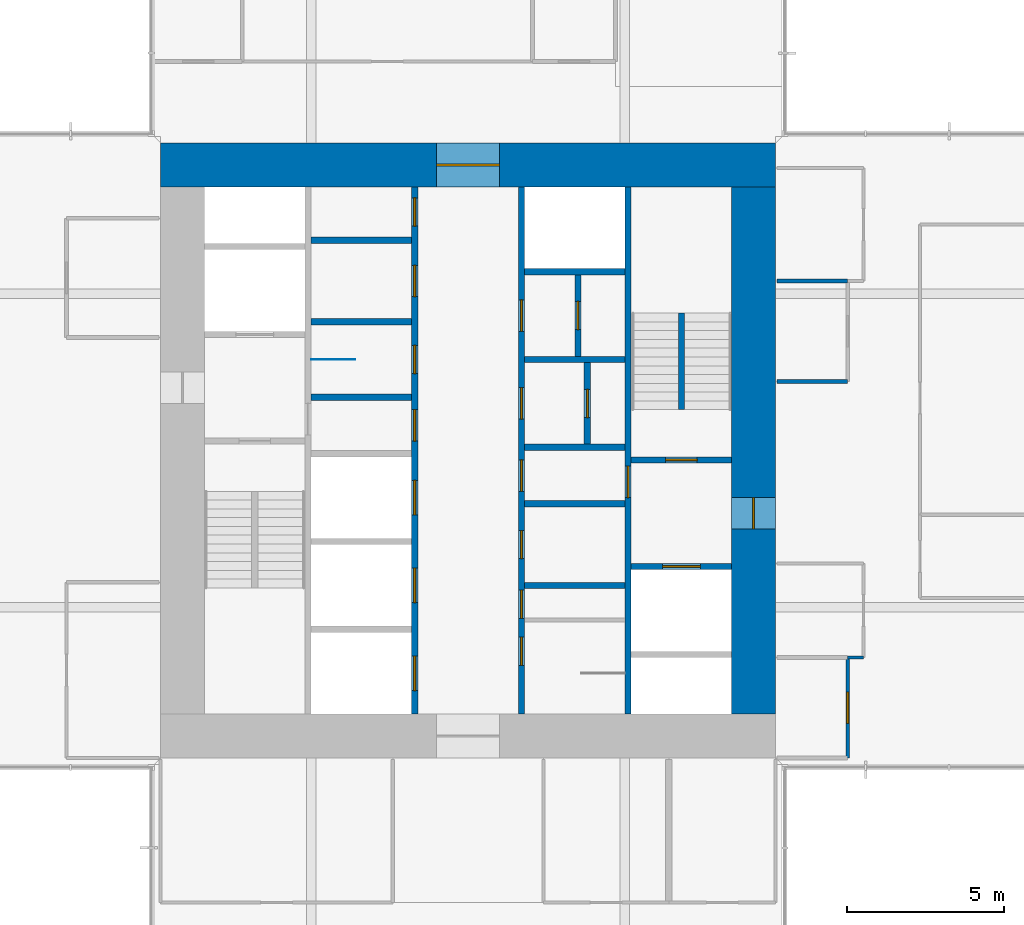
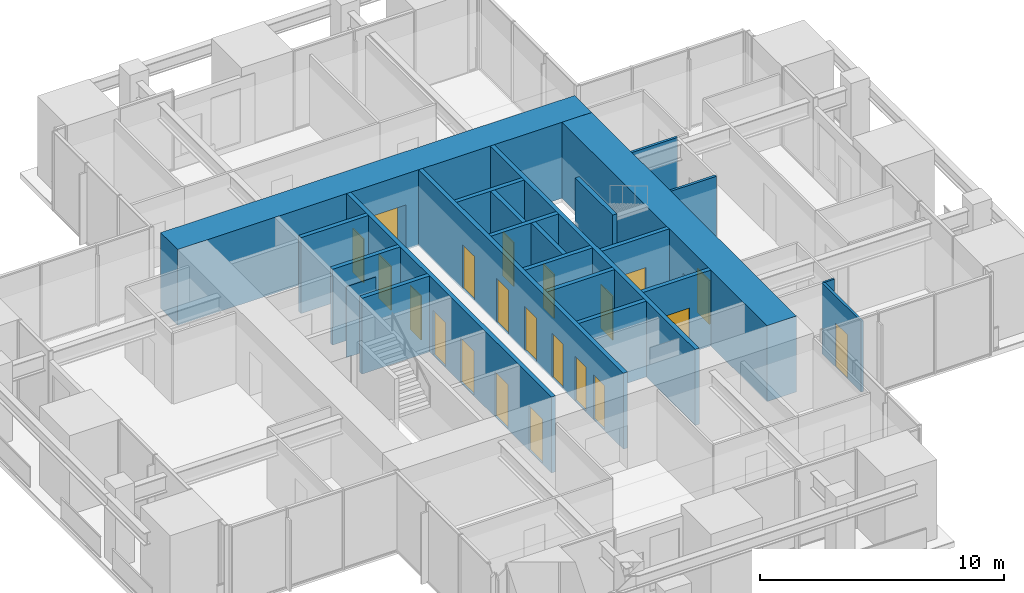
# One storey, part 13 of 17: 23 walls, 21 doors, 21 openings.
"""IFC4 building model written with IfcOpenShell, lengths in metres."""

from ifc_helpers import new_model, si_unit, direction, frame, frame_2d, origin, place, context, subcontext, project, spatial, rectangle, extrude, material, layer, layer_set, type_object, element, fill, save


model = new_model("IFC4")

# Units and contexts
model_context = context("Model", 3, precision=1e-05, world=origin(), true_north=direction((0.0, 1.0)))
body_context = subcontext(model_context, "Body", "Model", "MODEL_VIEW")
ifc_project = project(units=[si_unit("LENGTHUNIT", "METRE"), si_unit("AREAUNIT", "SQUARE_METRE"), si_unit("VOLUMEUNIT", "CUBIC_METRE"), si_unit("PLANEANGLEUNIT", "RADIAN"), si_unit("MASSUNIT", "GRAM", prefix="KILO")], contexts=[model_context])

# Site, building, storey
site_placement = place(None, origin())
site = spatial("IfcSite", under=ifc_project, at=site_placement, CompositionType="ELEMENT")
building_placement = place(site_placement, origin())
building = spatial("IfcBuilding", under=site, at=building_placement, Name="Svetlomir Tower", CompositionType="ELEMENT")
storey_placement = place(building_placement, frame((0.0, 0.0, 230.5)))
storey = spatial("IfcBuildingStorey", under=building, at=storey_placement, Name="L55", CompositionType="ELEMENT", Elevation=230.5)

# Wall, openings, doors
ifc_material_1 = material(Name="Concrete C60/75", Category="concrete")
ifc_layer_1 = layer(ifc_material_1, 0.199951171875)
ifc_layer_set_1 = layer_set([ifc_layer_1], Name="Concrete C60/75")
wall_type_1 = type_object("IfcWallType", Name="CORE INNER WALL 200", PredefinedType="SHEAR", material=ifc_layer_set_1)
wall_1_placement = place(storey_placement, frame((19.300048828125, 12.60009765625, -0.050048828125), z_axis=(0.0, 0.0, 1.0), x_axis=(0.0, 1.0, 0.0)))
wall_1 = element("IfcWall", 1, at=wall_1_placement, inside=storey, type_object=wall_type_1, Name="Core inner wall 19.3 L55", PredefinedType="SHEAR", context=body_context, shape_type="SweptSolid", body=[
    extrude(rectangle(XDim=16.7998046875, YDim=0.199951171875, at=frame_2d((8.39990234375, 0.0))), origin(), (0.0, 0.0, 1.0), 3.800048828125),
])
opening_1_placement = place(wall_1_placement, frame((8.699951171875, 0.0, 0.050048828125)))
opening_1 = element("IfcOpeningElement", 2, at=opening_1_placement, cuts=wall_1, Name="Opening DC", PredefinedType="OPENING", context=body_context, shape_type="SweptSolid", body=[
    extrude(rectangle(XDim=1.0, YDim=2.199951171875, at=frame_2d((0.5, 1.10009765625))), frame((0.0, 0.10986328125, 0.0), z_axis=(0.0, -1.0, 0.0), x_axis=(1.0, 0.0, 0.0)), (0.0, 0.0, 1.0), 0.219970703125),
])
opening_2_placement = place(wall_1_placement, frame((10.85009765625, 0.0, 0.050048828125)))
opening_2 = element("IfcOpeningElement", 3, at=opening_2_placement, cuts=wall_1, Name="Opening DW", PredefinedType="OPENING", context=body_context, shape_type="SweptSolid", body=[
    extrude(rectangle(XDim=0.89990234375, YDim=2.199951171875, at=frame_2d((0.449951171875, 1.10009765625))), frame((0.0, 0.10986328125, 0.0), z_axis=(0.0, -1.0, 0.0), x_axis=(1.0, 0.0, 0.0)), (0.0, 0.0, 1.0), 0.219970703125),
])
opening_3_placement = place(wall_1_placement, frame((13.300048828125, 0.0, 0.050048828125)))
opening_3 = element("IfcOpeningElement", 4, at=opening_3_placement, cuts=wall_1, Name="Opening DC", PredefinedType="OPENING", context=body_context, shape_type="SweptSolid", body=[
    extrude(rectangle(XDim=1.0, YDim=2.199951171875, at=frame_2d((0.5, 1.10009765625))), frame((0.0, 0.10986328125, 0.0), z_axis=(0.0, -1.0, 0.0), x_axis=(1.0, 0.0, 0.0)), (0.0, 0.0, 1.0), 0.219970703125),
])
opening_4_placement = place(wall_1_placement, frame((15.550048828125, 0.0, 0.050048828125)))
opening_4 = element("IfcOpeningElement", 5, at=opening_4_placement, cuts=wall_1, Name="Opening DW", PredefinedType="OPENING", context=body_context, shape_type="SweptSolid", body=[
    extrude(rectangle(XDim=0.89990234375, YDim=2.199951171875, at=frame_2d((0.449951171875, 1.10009765625))), frame((0.0, 0.10986328125, 0.0), z_axis=(0.0, -1.0, 0.0), x_axis=(1.0, 0.0, 0.0)), (0.0, 0.0, 1.0), 0.219970703125),
])
opening_5_placement = place(wall_1_placement, frame((0.75, 0.0, 0.050048828125)))
opening_5 = element("IfcOpeningElement", 6, at=opening_5_placement, cuts=wall_1, Name="Opening LD", PredefinedType="OPENING", context=body_context, shape_type="SweptSolid", body=[
    extrude(rectangle(XDim=1.10009765625, YDim=2.199951171875, at=frame_2d((0.550048828125, 1.10009765625))), frame((0.0, 0.10986328125, 0.0), z_axis=(0.0, -1.0, 0.0), x_axis=(1.0, 0.0, 0.0)), (0.0, 0.0, 1.0), 0.219970703125),
])
opening_6_placement = place(wall_1_placement, frame((3.550048828125, 0.0, 0.050048828125)))
opening_6 = element("IfcOpeningElement", 7, at=opening_6_placement, cuts=wall_1, Name="Opening LD", PredefinedType="OPENING", context=body_context, shape_type="SweptSolid", body=[
    extrude(rectangle(XDim=1.10009765625, YDim=2.199951171875, at=frame_2d((0.550048828125, 1.10009765625))), frame((0.0, 0.10986328125, 0.0), z_axis=(0.0, -1.0, 0.0), x_axis=(1.0, 0.0, 0.0)), (0.0, 0.0, 1.0), 0.219970703125),
])
opening_7_placement = place(wall_1_placement, frame((6.35009765625, 0.0, 0.050048828125)))
opening_7 = element("IfcOpeningElement", 8, at=opening_7_placement, cuts=wall_1, Name="Opening LD", PredefinedType="OPENING", context=body_context, shape_type="SweptSolid", body=[
    extrude(rectangle(XDim=1.10009765625, YDim=2.199951171875, at=frame_2d((0.550048828125, 1.10009765625))), frame((0.0, 0.10986328125, 0.0), z_axis=(0.0, -1.0, 0.0), x_axis=(1.0, 0.0, 0.0)), (0.0, 0.0, 1.0), 0.219970703125),
])
ifc_material_2 = material(Name="Timber fire door", Category="wood")
door_type_1 = type_object("IfcDoorType", Name="DOOR DC 1000x2200", OperationType="SINGLE_SWING_LEFT", PredefinedType="DOOR", material=ifc_material_2)
door_1_placement = place(opening_1_placement, origin())
door_1 = element("IfcDoor", 9, at=door_1_placement, inside=storey, type_object=door_type_1, Name="Core corridor west lobby door L55", OperationType="SINGLE_SWING_RIGHT", OverallHeight=2.199951171875, OverallWidth=1.0, PredefinedType="DOOR", context=body_context, shape_type="SweptSolid", body=[
    extrude(rectangle(XDim=1.0, YDim=2.199951171875, at=frame_2d((0.5, 1.10009765625))), frame((0.0, 0.02490234375, 0.0), z_axis=(0.0, -1.0, 0.0), x_axis=(1.0, 0.0, 0.0)), (0.0, 0.0, 1.0), 0.050048828125),
])
fill(opening_1, door_1)
door_2_placement = place(opening_3_placement, origin())
door_2 = element("IfcDoor", 10, at=door_2_placement, inside=storey, type_object=door_type_1, Name="Accessible WC door L55", OperationType="SINGLE_SWING_LEFT", OverallHeight=2.199951171875, OverallWidth=1.0, PredefinedType="DOOR", context=body_context, shape_type="SweptSolid", body=[
    extrude(rectangle(XDim=1.0, YDim=2.199951171875, at=frame_2d((0.5, 1.10009765625))), frame((0.0, 0.02490234375, 0.0), z_axis=(0.0, -1.0, 0.0), x_axis=(1.0, 0.0, 0.0)), (0.0, 0.0, 1.0), 0.050048828125),
])
fill(opening_3, door_2)
ifc_material_3 = material(Name="Timber fire door", Category="wood")
door_type_2 = type_object("IfcDoorType", Name="DOOR DW 900x2200", OperationType="SINGLE_SWING_LEFT", PredefinedType="DOOR", material=ifc_material_3)
door_3_placement = place(opening_2_placement, origin())
door_3 = element("IfcDoor", 11, at=door_3_placement, inside=storey, type_object=door_type_2, Name="Female WC door L55", OperationType="SINGLE_SWING_RIGHT", OverallHeight=2.199951171875, OverallWidth=0.89990234375, PredefinedType="DOOR", context=body_context, shape_type="SweptSolid", body=[
    extrude(rectangle(XDim=0.89990234375, YDim=2.199951171875, at=frame_2d((0.449951171875, 1.10009765625))), frame((0.0, 0.02490234375, 0.0), z_axis=(0.0, -1.0, 0.0), x_axis=(1.0, 0.0, 0.0)), (0.0, 0.0, 1.0), 0.050048828125),
])
fill(opening_2, door_3)
door_4_placement = place(opening_4_placement, origin())
door_4 = element("IfcDoor", 12, at=door_4_placement, inside=storey, type_object=door_type_2, Name="IT floor distributor room door L55", OperationType="SINGLE_SWING_RIGHT", OverallHeight=2.199951171875, OverallWidth=0.89990234375, PredefinedType="DOOR", context=body_context, shape_type="SweptSolid", body=[
    extrude(rectangle(XDim=0.89990234375, YDim=2.199951171875, at=frame_2d((0.449951171875, 1.10009765625))), frame((0.0, 0.02490234375, 0.0), z_axis=(0.0, -1.0, 0.0), x_axis=(1.0, 0.0, 0.0)), (0.0, 0.0, 1.0), 0.050048828125),
])
fill(opening_4, door_4)
ifc_material_4 = material(Name="Stainless steel landing door", Category="steel")
door_type_3 = type_object("IfcDoorType", Name="LIFT LANDING DOOR LD 1100x2200", OperationType="DOUBLE_DOOR_SLIDING", PredefinedType="DOOR", material=ifc_material_4)
door_5_placement = place(opening_5_placement, origin())
door_5 = element("IfcDoor", 13, at=door_5_placement, inside=storey, type_object=door_type_3, Name="Landing door lift LC1 L55", OperationType="DOUBLE_DOOR_SLIDING", OverallHeight=2.199951171875, OverallWidth=1.10009765625, PredefinedType="DOOR", context=body_context, shape_type="SweptSolid", body=[
    extrude(rectangle(XDim=1.10009765625, YDim=2.199951171875, at=frame_2d((0.550048828125, 1.10009765625))), frame((0.0, 0.02490234375, 0.0), z_axis=(0.0, -1.0, 0.0), x_axis=(1.0, 0.0, 0.0)), (0.0, 0.0, 1.0), 0.050048828125),
])
fill(opening_5, door_5)
door_6_placement = place(opening_6_placement, origin())
door_6 = element("IfcDoor", 14, at=door_6_placement, inside=storey, type_object=door_type_3, Name="Landing door lift LC2 L55", OperationType="DOUBLE_DOOR_SLIDING", OverallHeight=2.199951171875, OverallWidth=1.10009765625, PredefinedType="DOOR", context=body_context, shape_type="SweptSolid", body=[
    extrude(rectangle(XDim=1.10009765625, YDim=2.199951171875, at=frame_2d((0.550048828125, 1.10009765625))), frame((0.0, 0.02490234375, 0.0), z_axis=(0.0, -1.0, 0.0), x_axis=(1.0, 0.0, 0.0)), (0.0, 0.0, 1.0), 0.050048828125),
])
fill(opening_6, door_6)
door_7_placement = place(opening_7_placement, origin())
door_7 = element("IfcDoor", 15, at=door_7_placement, inside=storey, type_object=door_type_3, Name="Landing door lift LC3 L55", OperationType="DOUBLE_DOOR_SLIDING", OverallHeight=2.199951171875, OverallWidth=1.10009765625, PredefinedType="DOOR", context=body_context, shape_type="SweptSolid", body=[
    extrude(rectangle(XDim=1.10009765625, YDim=2.199951171875, at=frame_2d((0.550048828125, 1.10009765625))), frame((0.0, 0.02490234375, 0.0), z_axis=(0.0, -1.0, 0.0), x_axis=(1.0, 0.0, 0.0)), (0.0, 0.0, 1.0), 0.050048828125),
])
fill(opening_7, door_7)

wall_2_placement = place(storey_placement, frame((22.699951171875, 12.60009765625, -0.050048828125), z_axis=(0.0, 0.0, 1.0), x_axis=(0.0, 1.0, 0.0)))
wall_2 = element("IfcWall", 16, at=wall_2_placement, inside=storey, type_object=wall_type_1, Name="Core inner wall 22.7 L55", PredefinedType="SHEAR", context=body_context, shape_type="SweptSolid", body=[
    extrude(rectangle(XDim=16.7998046875, YDim=0.199951171875, at=frame_2d((8.39990234375, 0.0))), origin(), (0.0, 0.0, 1.0), 3.800048828125),
])
opening_8_placement = place(wall_2_placement, frame((3.050048828125, 0.0, 0.050048828125)))
opening_8 = element("IfcOpeningElement", 17, at=opening_8_placement, cuts=wall_2, Name="Opening DW", PredefinedType="OPENING", context=body_context, shape_type="SweptSolid", body=[
    extrude(rectangle(XDim=0.89990234375, YDim=2.199951171875, at=frame_2d((0.449951171875, 1.10009765625))), frame((0.0, 0.10986328125, 0.0), z_axis=(0.0, -1.0, 0.0), x_axis=(1.0, 0.0, 0.0)), (0.0, 0.0, 1.0), 0.219970703125),
])
opening_9_placement = place(wall_2_placement, frame((7.10009765625, 0.0, 0.050048828125)))
opening_9 = element("IfcOpeningElement", 18, at=opening_9_placement, cuts=wall_2, Name="Opening DC", PredefinedType="OPENING", context=body_context, shape_type="SweptSolid", body=[
    extrude(rectangle(XDim=1.0, YDim=2.199951171875, at=frame_2d((0.5, 1.10009765625))), frame((0.0, 0.10986328125, 0.0), z_axis=(0.0, -1.0, 0.0), x_axis=(1.0, 0.0, 0.0)), (0.0, 0.0, 1.0), 0.219970703125),
])
opening_10_placement = place(wall_2_placement, frame((1.550048828125, 0.0, 0.050048828125)))
opening_10 = element("IfcOpeningElement", 19, at=opening_10_placement, cuts=wall_2, Name="Opening DW", PredefinedType="OPENING", context=body_context, shape_type="SweptSolid", body=[
    extrude(rectangle(XDim=0.89990234375, YDim=2.199951171875, at=frame_2d((0.449951171875, 1.10009765625))), frame((0.0, 0.10986328125, 0.0), z_axis=(0.0, -1.0, 0.0), x_axis=(1.0, 0.0, 0.0)), (0.0, 0.0, 1.0), 0.219970703125),
])
opening_11_placement = place(wall_2_placement, frame((4.949951171875, 0.0, 0.050048828125)))
opening_11 = element("IfcOpeningElement", 20, at=opening_11_placement, cuts=wall_2, Name="Opening DW", PredefinedType="OPENING", context=body_context, shape_type="SweptSolid", body=[
    extrude(rectangle(XDim=0.89990234375, YDim=2.199951171875, at=frame_2d((0.449951171875, 1.10009765625))), frame((0.0, 0.10986328125, 0.0), z_axis=(0.0, -1.0, 0.0), x_axis=(1.0, 0.0, 0.0)), (0.0, 0.0, 1.0), 0.219970703125),
])
opening_12_placement = place(wall_2_placement, frame((9.39990234375, 0.0, 0.050048828125)))
opening_12 = element("IfcOpeningElement", 21, at=opening_12_placement, cuts=wall_2, Name="Opening DC", PredefinedType="OPENING", context=body_context, shape_type="SweptSolid", body=[
    extrude(rectangle(XDim=1.0, YDim=2.199951171875, at=frame_2d((0.5, 1.10009765625))), frame((0.0, 0.10986328125, 0.0), z_axis=(0.0, -1.0, 0.0), x_axis=(1.0, 0.0, 0.0)), (0.0, 0.0, 1.0), 0.219970703125),
])
opening_13_placement = place(wall_2_placement, frame((12.199951171875, 0.0, 0.050048828125)))
opening_13 = element("IfcOpeningElement", 22, at=opening_13_placement, cuts=wall_2, Name="Opening DC", PredefinedType="OPENING", context=body_context, shape_type="SweptSolid", body=[
    extrude(rectangle(XDim=1.0, YDim=2.199951171875, at=frame_2d((0.5, 1.10009765625))), frame((0.0, 0.10986328125, 0.0), z_axis=(0.0, -1.0, 0.0), x_axis=(1.0, 0.0, 0.0)), (0.0, 0.0, 1.0), 0.219970703125),
])
door_8_placement = place(opening_9_placement, origin())
door_8 = element("IfcDoor", 23, at=door_8_placement, inside=storey, type_object=door_type_1, Name="Core corridor east lobby door L55", OperationType="SINGLE_SWING_LEFT", OverallHeight=2.199951171875, OverallWidth=1.0, PredefinedType="DOOR", context=body_context, shape_type="SweptSolid", body=[
    extrude(rectangle(XDim=1.0, YDim=2.199951171875, at=frame_2d((0.5, 1.10009765625))), frame((0.0, 0.02490234375, 0.0), z_axis=(0.0, -1.0, 0.0), x_axis=(1.0, 0.0, 0.0)), (0.0, 0.0, 1.0), 0.050048828125),
])
fill(opening_9, door_8)
door_9_placement = place(opening_12_placement, origin())
door_9 = element("IfcDoor", 24, at=door_9_placement, inside=storey, type_object=door_type_1, Name="Converted shaft BANK-E1 room door L55", OperationType="SINGLE_SWING_LEFT", OverallHeight=2.199951171875, OverallWidth=1.0, PredefinedType="DOOR", context=body_context, shape_type="SweptSolid", body=[
    extrude(rectangle(XDim=1.0, YDim=2.199951171875, at=frame_2d((0.5, 1.10009765625))), frame((0.0, 0.02490234375, 0.0), z_axis=(0.0, -1.0, 0.0), x_axis=(1.0, 0.0, 0.0)), (0.0, 0.0, 1.0), 0.050048828125),
])
fill(opening_12, door_9)
door_10_placement = place(opening_13_placement, origin())
door_10 = element("IfcDoor", 25, at=door_10_placement, inside=storey, type_object=door_type_1, Name="Converted shaft BANK-E2 room door L55", OperationType="SINGLE_SWING_LEFT", OverallHeight=2.199951171875, OverallWidth=1.0, PredefinedType="DOOR", context=body_context, shape_type="SweptSolid", body=[
    extrude(rectangle(XDim=1.0, YDim=2.199951171875, at=frame_2d((0.5, 1.10009765625))), frame((0.0, 0.02490234375, 0.0), z_axis=(0.0, -1.0, 0.0), x_axis=(1.0, 0.0, 0.0)), (0.0, 0.0, 1.0), 0.050048828125),
])
fill(opening_13, door_10)
door_11_placement = place(opening_8_placement, origin())
door_11 = element("IfcDoor", 26, at=door_11_placement, inside=storey, type_object=door_type_2, Name="Shower and changing room door L55", OperationType="SINGLE_SWING_LEFT", OverallHeight=2.199951171875, OverallWidth=0.89990234375, PredefinedType="DOOR", context=body_context, shape_type="SweptSolid", body=[
    extrude(rectangle(XDim=0.89990234375, YDim=2.199951171875, at=frame_2d((0.449951171875, 1.10009765625))), frame((0.0, 0.02490234375, 0.0), z_axis=(0.0, -1.0, 0.0), x_axis=(1.0, 0.0, 0.0)), (0.0, 0.0, 1.0), 0.050048828125),
])
fill(opening_8, door_11)
door_12_placement = place(opening_10_placement, origin())
door_12 = element("IfcDoor", 27, at=door_12_placement, inside=storey, type_object=door_type_2, Name="Male WC door L55", OperationType="SINGLE_SWING_RIGHT", OverallHeight=2.199951171875, OverallWidth=0.89990234375, PredefinedType="DOOR", context=body_context, shape_type="SweptSolid", body=[
    extrude(rectangle(XDim=0.89990234375, YDim=2.199951171875, at=frame_2d((0.449951171875, 1.10009765625))), frame((0.0, 0.02490234375, 0.0), z_axis=(0.0, -1.0, 0.0), x_axis=(1.0, 0.0, 0.0)), (0.0, 0.0, 1.0), 0.050048828125),
])
fill(opening_10, door_12)
door_13_placement = place(opening_11_placement, origin())
door_13 = element("IfcDoor", 28, at=door_13_placement, inside=storey, type_object=door_type_2, Name="Comms room door L55", OperationType="SINGLE_SWING_RIGHT", OverallHeight=2.199951171875, OverallWidth=0.89990234375, PredefinedType="DOOR", context=body_context, shape_type="SweptSolid", body=[
    extrude(rectangle(XDim=0.89990234375, YDim=2.199951171875, at=frame_2d((0.449951171875, 1.10009765625))), frame((0.0, 0.02490234375, 0.0), z_axis=(0.0, -1.0, 0.0), x_axis=(1.0, 0.0, 0.0)), (0.0, 0.0, 1.0), 0.050048828125),
])
fill(opening_11, door_13)

# Wall, opening, door
wall_3_placement = place(storey_placement, frame((26.10009765625, 12.60009765625, -0.050048828125), z_axis=(0.0, 0.0, 1.0), x_axis=(0.0, 1.0, 0.0)))
wall_3 = element("IfcWall", 29, at=wall_3_placement, inside=storey, type_object=wall_type_1, Name="Core inner wall 26.1 L55", PredefinedType="SHEAR", context=body_context, shape_type="SweptSolid", body=[
    extrude(rectangle(XDim=16.7998046875, YDim=0.199951171875, at=frame_2d((8.39990234375, 0.0))), origin(), (0.0, 0.0, 1.0), 3.800048828125),
])
opening_14_placement = place(wall_3_placement, frame((6.89990234375, 0.0, 0.050048828125)))
opening_14 = element("IfcOpeningElement", 30, at=opening_14_placement, cuts=wall_3, Name="Opening DF", PredefinedType="OPENING", context=body_context, shape_type="SweptSolid", body=[
    extrude(rectangle(XDim=1.0, YDim=2.199951171875, at=frame_2d((0.5, 1.10009765625))), frame((0.0, 0.10986328125, 0.0), z_axis=(0.0, -1.0, 0.0), x_axis=(1.0, 0.0, 0.0)), (0.0, 0.0, 1.0), 0.219970703125),
])
ifc_material_5 = material(Name="Steel fire door", Category="steel")
door_type_4 = type_object("IfcDoorType", Name="DOOR DF 1000x2200", OperationType="SINGLE_SWING_LEFT", PredefinedType="DOOR", material=ifc_material_5)
door_14_placement = place(opening_14_placement, origin())
door_14 = element("IfcDoor", 31, at=door_14_placement, inside=storey, type_object=door_type_4, Name="Core corridor east door L55", OperationType="SINGLE_SWING_LEFT", OverallHeight=2.199951171875, OverallWidth=1.0, PredefinedType="DOOR", context=body_context, shape_type="SweptSolid", body=[
    extrude(rectangle(XDim=1.0, YDim=2.199951171875, at=frame_2d((0.5, 1.10009765625))), frame((0.0, 0.02490234375, 0.0), z_axis=(0.0, -1.0, 0.0), x_axis=(1.0, 0.0, 0.0)), (0.0, 0.0, 1.0), 0.050048828125),
])
fill(opening_14, door_14)

# Walls
for number, where, z_axis, x_axis, name in (
    (32, (16.0, 22.699951171875, -0.050048828125), (0.0, 0.0, 1.0), (1.0, 0.0, 0.0), "Core inner wall 16-19.2/22.7 L55"),
    (33, (16.0, 25.10009765625, -0.050048828125), (0.0, 0.0, 1.0), (1.0, 0.0, 0.0), "Core inner wall 16-19.2/25.1 L55"),
    (34, (16.0, 27.699951171875, -0.050048828125), (0.0, 0.0, 1.0), (1.0, 0.0, 0.0), "Core inner wall 16-19.2/27.7 L55"),
    (35, (22.800048828125, 16.699951171875, -0.050048828125), (0.0, 0.0, 1.0), (1.0, 0.0, 0.0), "Core inner wall 22.8-26/16.7 L55"),
    (36, (22.800048828125, 19.300048828125, -0.050048828125), (0.0, 0.0, 1.0), (1.0, 0.0, 0.0), "Core inner wall 22.8-26/19.3 L55"),
    (37, (22.800048828125, 21.10009765625, -0.050048828125), (0.0, 0.0, 1.0), (1.0, 0.0, 0.0), "Core inner wall 22.8-26/21.1 L55"),
    (38, (22.800048828125, 23.89990234375, -0.050048828125), (0.0, 0.0, 1.0), (1.0, 0.0, 0.0), "Core inner wall 22.8-26/23.9 L55"),
    (39, (22.800048828125, 26.699951171875, -0.050048828125), (0.0, 0.0, 1.0), (1.0, 0.0, 0.0), "Core inner wall 22.8-26/26.7 L55"),
):
    element("IfcWall", number, at=place(storey_placement, frame(where, z_axis=z_axis, x_axis=x_axis)), inside=storey, type_object=wall_type_1, Name=name, PredefinedType="SHEAR", context=body_context, shape_type="SweptSolid", body=[
        extrude(rectangle(XDim=3.199951171875, YDim=0.199951171875, at=frame_2d((1.60009765625, 0.0))), origin(), (0.0, 0.0, 1.0), 3.800048828125),
    ])

# Wall, opening, door
wall_4_placement = place(storey_placement, frame((26.199951171875, 17.300048828125, -0.050048828125), z_axis=(0.0, 0.0, 1.0), x_axis=(1.0, 0.0, 0.0)))
wall_4 = element("IfcWall", 40, at=wall_4_placement, inside=storey, type_object=wall_type_1, Name="Core inner wall 26.2-29.4/17.3 L55", PredefinedType="SHEAR", context=body_context, shape_type="SweptSolid", body=[
    extrude(rectangle(XDim=3.199951171875, YDim=0.199951171875, at=frame_2d((1.60009765625, 0.0))), origin(), (0.0, 0.0, 1.0), 3.800048828125),
])
opening_15_placement = place(wall_4_placement, frame((1.0, 0.0, 0.050048828125)))
opening_15 = element("IfcOpeningElement", 41, at=opening_15_placement, cuts=wall_4, Name="Opening LD3", PredefinedType="OPENING", context=body_context, shape_type="SweptSolid", body=[
    extrude(rectangle(XDim=1.199951171875, YDim=2.199951171875, at=frame_2d((0.60009765625, 1.10009765625))), frame((0.0, 0.10986328125, 0.0), z_axis=(0.0, -1.0, 0.0), x_axis=(1.0, 0.0, 0.0)), (0.0, 0.0, 1.0), 0.219970703125),
])
ifc_material_6 = material(Name="Stainless steel fire-rated landing door", Category="steel")
door_type_5 = type_object("IfcDoorType", Name="FIREFIGHTING LIFT LANDING DOOR LD3 1200x2200", OperationType="DOUBLE_DOOR_SLIDING", PredefinedType="DOOR", material=ifc_material_6)
door_15_placement = place(opening_15_placement, origin())
door_15 = element("IfcDoor", 42, at=door_15_placement, inside=storey, type_object=door_type_5, Name="Landing door lift FL2 L55", OperationType="DOUBLE_DOOR_SLIDING", OverallHeight=2.199951171875, OverallWidth=1.199951171875, PredefinedType="DOOR", context=body_context, shape_type="SweptSolid", body=[
    extrude(rectangle(XDim=1.199951171875, YDim=2.199951171875, at=frame_2d((0.60009765625, 1.10009765625))), frame((0.0, 0.02490234375, 0.0), z_axis=(0.0, -1.0, 0.0), x_axis=(1.0, 0.0, 0.0)), (0.0, 0.0, 1.0), 0.050048828125),
])
fill(opening_15, door_15)

wall_5_placement = place(storey_placement, frame((26.199951171875, 20.699951171875, -0.050048828125), z_axis=(0.0, 0.0, 1.0), x_axis=(1.0, 0.0, 0.0)))
wall_5 = element("IfcWall", 43, at=wall_5_placement, inside=storey, type_object=wall_type_1, Name="Core inner wall 26.2-29.4/20.7 L55", PredefinedType="SHEAR", context=body_context, shape_type="SweptSolid", body=[
    extrude(rectangle(XDim=3.199951171875, YDim=0.199951171875, at=frame_2d((1.60009765625, 0.0))), origin(), (0.0, 0.0, 1.0), 3.800048828125),
])
opening_16_placement = place(wall_5_placement, frame((1.10009765625, 0.0, 0.050048828125)))
opening_16 = element("IfcOpeningElement", 44, at=opening_16_placement, cuts=wall_5, Name="Opening DF", PredefinedType="OPENING", context=body_context, shape_type="SweptSolid", body=[
    extrude(rectangle(XDim=1.0, YDim=2.199951171875, at=frame_2d((0.5, 1.10009765625))), frame((0.0, 0.10986328125, 0.0), z_axis=(0.0, -1.0, 0.0), x_axis=(1.0, 0.0, 0.0)), (0.0, 0.0, 1.0), 0.219970703125),
])
door_16_placement = place(opening_16_placement, origin())
door_16 = element("IfcDoor", 45, at=door_16_placement, inside=storey, type_object=door_type_4, Name="Stair S2 door L55", OperationType="SINGLE_SWING_LEFT", OverallHeight=2.199951171875, OverallWidth=1.0, PredefinedType="DOOR", context=body_context, shape_type="SweptSolid", body=[
    extrude(rectangle(XDim=1.0, YDim=2.199951171875, at=frame_2d((0.5, 1.10009765625))), frame((0.0, 0.02490234375, 0.0), z_axis=(0.0, -1.0, 0.0), x_axis=(1.0, 0.0, 0.0)), (0.0, 0.0, 1.0), 0.050048828125),
])
fill(opening_16, door_16)

wall_6_placement = place(storey_placement, frame((24.800048828125, 21.199951171875, -0.050048828125), z_axis=(0.0, 0.0, 1.0), x_axis=(0.0, 1.0, 0.0)))
wall_6 = element("IfcWall", 46, at=wall_6_placement, inside=storey, type_object=wall_type_1, Name="Core inner wall 24.8/21.2-23.8 L55", PredefinedType="SHEAR", context=body_context, shape_type="SweptSolid", body=[
    extrude(rectangle(XDim=2.60009765625, YDim=0.199951171875, at=frame_2d((1.300048828125, 0.0))), origin(), (0.0, 0.0, 1.0), 3.800048828125),
])
opening_17_placement = place(wall_6_placement, frame((0.85009765625, 0.0, 0.050048828125)))
opening_17 = element("IfcOpeningElement", 47, at=opening_17_placement, cuts=wall_6, Name="Opening DW", PredefinedType="OPENING", context=body_context, shape_type="SweptSolid", body=[
    extrude(rectangle(XDim=0.89990234375, YDim=2.199951171875, at=frame_2d((0.449951171875, 1.10009765625))), frame((0.0, 0.10986328125, 0.0), z_axis=(0.0, -1.0, 0.0), x_axis=(1.0, 0.0, 0.0)), (0.0, 0.0, 1.0), 0.219970703125),
])
door_17_placement = place(opening_17_placement, origin())
door_17 = element("IfcDoor", 48, at=door_17_placement, inside=storey, type_object=door_type_2, Name="Converted shaft BANK-E1 back room door L55", OperationType="SINGLE_SWING_RIGHT", OverallHeight=2.199951171875, OverallWidth=0.89990234375, PredefinedType="DOOR", context=body_context, shape_type="SweptSolid", body=[
    extrude(rectangle(XDim=0.89990234375, YDim=2.199951171875, at=frame_2d((0.449951171875, 1.10009765625))), frame((0.0, 0.02490234375, 0.0), z_axis=(0.0, -1.0, 0.0), x_axis=(1.0, 0.0, 0.0)), (0.0, 0.0, 1.0), 0.050048828125),
])
fill(opening_17, door_17)

wall_7_placement = place(storey_placement, frame((24.5, 24.0, -0.050048828125), z_axis=(0.0, 0.0, 1.0), x_axis=(0.0, 1.0, 0.0)))
wall_7 = element("IfcWall", 49, at=wall_7_placement, inside=storey, type_object=wall_type_1, Name="Core inner wall 24.5/24-26.6 L55", PredefinedType="SHEAR", context=body_context, shape_type="SweptSolid", body=[
    extrude(rectangle(XDim=2.60009765625, YDim=0.199951171875, at=frame_2d((1.300048828125, 0.0))), origin(), (0.0, 0.0, 1.0), 3.800048828125),
])
opening_18_placement = place(wall_7_placement, frame((0.85009765625, 0.0, 0.050048828125)))
opening_18 = element("IfcOpeningElement", 50, at=opening_18_placement, cuts=wall_7, Name="Opening DW", PredefinedType="OPENING", context=body_context, shape_type="SweptSolid", body=[
    extrude(rectangle(XDim=0.89990234375, YDim=2.199951171875, at=frame_2d((0.449951171875, 1.10009765625))), frame((0.0, 0.10986328125, 0.0), z_axis=(0.0, -1.0, 0.0), x_axis=(1.0, 0.0, 0.0)), (0.0, 0.0, 1.0), 0.219970703125),
])
door_18_placement = place(opening_18_placement, origin())
door_18 = element("IfcDoor", 51, at=door_18_placement, inside=storey, type_object=door_type_2, Name="Converted shaft BANK-E2 back room door L55", OperationType="SINGLE_SWING_RIGHT", OverallHeight=2.199951171875, OverallWidth=0.89990234375, PredefinedType="DOOR", context=body_context, shape_type="SweptSolid", body=[
    extrude(rectangle(XDim=0.89990234375, YDim=2.199951171875, at=frame_2d((0.449951171875, 1.10009765625))), frame((0.0, 0.02490234375, 0.0), z_axis=(0.0, -1.0, 0.0), x_axis=(1.0, 0.0, 0.0)), (0.0, 0.0, 1.0), 0.050048828125),
])
fill(opening_18, door_18)

ifc_material_7 = material(Name="Concrete C60/75", Category="concrete")
ifc_layer_2 = layer(ifc_material_7, 1.39990234375)
ifc_layer_set_2 = layer_set([ifc_layer_2], Name="Concrete C60/75")
wall_type_2 = type_object("IfcWallType", Name="CORE WALL 1400", PredefinedType="SHEAR", material=ifc_layer_set_2)
wall_8_placement = place(storey_placement, frame((11.199951171875, 30.10009765625, -0.050048828125), z_axis=(0.0, 0.0, 1.0), x_axis=(1.0, 0.0, 0.0)))
wall_8 = element("IfcWall", 52, at=wall_8_placement, inside=storey, type_object=wall_type_2, Name="Core wall north L55", PredefinedType="SHEAR", context=body_context, shape_type="SweptSolid", body=[
    extrude(rectangle(XDim=19.60009765625, YDim=1.39990234375, at=frame_2d((9.800048828125, 0.0))), origin(), (0.0, 0.0, 1.0), 3.800048828125),
])
opening_19_placement = place(wall_8_placement, frame((8.800048828125, 0.0, 0.050048828125)))
opening_19 = element("IfcOpeningElement", 53, at=opening_19_placement, cuts=wall_8, Name="Opening DL", PredefinedType="OPENING", context=body_context, shape_type="SweptSolid", body=[
    extrude(rectangle(XDim=2.0, YDim=2.199951171875, at=frame_2d((1.0, 1.10009765625))), frame((0.0, 0.7099609375, 0.0), z_axis=(0.0, -1.0, 0.0), x_axis=(1.0, 0.0, 0.0)), (0.0, 0.0, 1.0), 1.419921875),
])
ifc_material_8 = material(Name="Steel fire door", Category="steel")
door_type_6 = type_object("IfcDoorType", Name="DOOR DL 2000x2200", OperationType="DOUBLE_DOOR_SINGLE_SWING", PredefinedType="DOOR", material=ifc_material_8)
door_19_placement = place(opening_19_placement, origin())
door_19 = element("IfcDoor", 54, at=door_19_placement, inside=storey, type_object=door_type_6, Name="Lift lobby north door L55", OperationType="DOUBLE_DOOR_SINGLE_SWING", OverallHeight=2.199951171875, OverallWidth=2.0, PredefinedType="DOOR", context=body_context, shape_type="SweptSolid", body=[
    extrude(rectangle(XDim=2.0, YDim=2.199951171875, at=frame_2d((1.0, 1.10009765625))), frame((0.0, 0.02490234375, 0.0), z_axis=(0.0, -1.0, 0.0), x_axis=(1.0, 0.0, 0.0)), (0.0, 0.0, 1.0), 0.050048828125),
])
fill(opening_19, door_19)

wall_9_placement = place(storey_placement, frame((30.10009765625, 12.60009765625, -0.050048828125), z_axis=(0.0, 0.0, 1.0), x_axis=(0.0, 1.0, 0.0)))
wall_9 = element("IfcWall", 55, at=wall_9_placement, inside=storey, type_object=wall_type_2, Name="Core wall east L55", PredefinedType="SHEAR", context=body_context, shape_type="SweptSolid", body=[
    extrude(rectangle(XDim=16.7998046875, YDim=1.39990234375, at=frame_2d((8.39990234375, 0.0))), origin(), (0.0, 0.0, 1.0), 3.800048828125),
])
opening_20_placement = place(wall_9_placement, frame((5.89990234375, 0.0, 0.050048828125)))
opening_20 = element("IfcOpeningElement", 56, at=opening_20_placement, cuts=wall_9, Name="Opening DF", PredefinedType="OPENING", context=body_context, shape_type="SweptSolid", body=[
    extrude(rectangle(XDim=1.0, YDim=2.199951171875, at=frame_2d((0.5, 1.10009765625))), frame((0.0, 0.7099609375, 0.0), z_axis=(0.0, -1.0, 0.0), x_axis=(1.0, 0.0, 0.0)), (0.0, 0.0, 1.0), 1.419921875),
])
door_20_placement = place(opening_20_placement, origin())
door_20 = element("IfcDoor", 57, at=door_20_placement, inside=storey, type_object=door_type_4, Name="Firefighting lobby east door L55", OperationType="SINGLE_SWING_LEFT", OverallHeight=2.199951171875, OverallWidth=1.0, PredefinedType="DOOR", context=body_context, shape_type="SweptSolid", body=[
    extrude(rectangle(XDim=1.0, YDim=2.199951171875, at=frame_2d((0.5, 1.10009765625))), frame((0.0, 0.02490234375, 0.0), z_axis=(0.0, -1.0, 0.0), x_axis=(1.0, 0.0, 0.0)), (0.0, 0.0, 1.0), 0.050048828125),
])
fill(opening_20, door_20)

# Walls
ifc_material_9 = material(Name="Framed laminated glass partition", Category="glass")
ifc_layer_3 = layer(ifc_material_9, 0.10009765625)
ifc_layer_set_3 = layer_set([ifc_layer_3], Name="Framed laminated glass partition")
wall_type_3 = type_object("IfcWallType", Name="GLAZED PARTITION 100", PredefinedType="PARTITIONING", material=ifc_layer_set_3)
wall_10_placement = place(storey_placement, frame((33.10009765625, 14.39990234375, 0.0), z_axis=(0.0, 0.0, 1.0), x_axis=(1.0, 0.0, 0.0)))
element("IfcWall", 58, at=wall_10_placement, inside=storey, type_object=wall_type_3, Name="Glazed partition L55", PredefinedType="PARTITIONING", context=body_context, shape_type="SweptSolid", body=[
    extrude(rectangle(XDim=0.5, YDim=0.10009765625, at=frame_2d((0.25, 0.0))), origin(), (0.0, 0.0, 1.0), 3.550048828125),
])
ifc_material_10 = material(Name="Gypsum board on steel studs", Category="steel")
ifc_layer_4 = layer(ifc_material_10, 0.1201171875)
ifc_layer_set_4 = layer_set([ifc_layer_4], Name="Gypsum board on steel studs")
wall_type_4 = type_object("IfcWallType", Name="PARTITION 120", PredefinedType="PARTITIONING", material=ifc_layer_set_4)
for number, where, z_axis, x_axis, name in (
    (59, (30.85009765625, 23.199951171875, 0.0), (0.0, 0.0, 1.0), (1.0, 0.0, 0.0), "Partition L55"),
    (60, (30.85009765625, 26.39990234375, 0.0), (0.0, 0.0, 1.0), (1.0, 0.0, 0.0), "Partition L55"),
):
    element("IfcWall", number, at=place(storey_placement, frame(where, z_axis=z_axis, x_axis=x_axis)), inside=storey, type_object=wall_type_4, Name=name, PredefinedType="PARTITIONING", context=body_context, shape_type="SweptSolid", body=[
        extrude(rectangle(XDim=2.25, YDim=0.1201171875, at=frame_2d((1.125, 0.0))), origin(), (0.0, 0.0, 1.0), 3.550048828125),
    ])

# Wall, opening, door
wall_11_placement = place(storey_placement, frame((33.10009765625, 11.199951171875, 0.0), z_axis=(0.0, 0.0, 1.0), x_axis=(0.0, 1.0, 0.0)))
wall_11 = element("IfcWall", 61, at=wall_11_placement, inside=storey, type_object=wall_type_4, Name="Partition L55", PredefinedType="PARTITIONING", context=body_context, shape_type="SweptSolid", body=[
    extrude(rectangle(XDim=3.199951171875, YDim=0.1201171875, at=frame_2d((1.60009765625, 0.0))), origin(), (0.0, 0.0, 1.0), 3.550048828125),
])
opening_21_placement = place(wall_11_placement, frame((1.10009765625, 0.0, 0.0)))
opening_21 = element("IfcOpeningElement", 62, at=opening_21_placement, cuts=wall_11, Name="Opening DR", PredefinedType="OPENING", context=body_context, shape_type="SweptSolid", body=[
    extrude(rectangle(XDim=1.0, YDim=2.199951171875, at=frame_2d((0.5, 1.10009765625))), frame((0.0, 0.070068359375, 0.0), z_axis=(0.0, -1.0, 0.0), x_axis=(1.0, 0.0, 0.0)), (0.0, 0.0, 1.0), 0.14013671875),
])
ifc_material_11 = material(Name="Timber door, glazed side light", Category="wood")
door_type_7 = type_object("IfcDoorType", Name="DOOR DR 1000x2200", OperationType="SINGLE_SWING_LEFT", PredefinedType="DOOR", material=ifc_material_11)
door_21_placement = place(opening_21_placement, origin())
door_21 = element("IfcDoor", 63, at=door_21_placement, inside=storey, type_object=door_type_7, Name="Board papers print room door L55", OperationType="SINGLE_SWING_RIGHT", OverallHeight=2.199951171875, OverallWidth=1.0, PredefinedType="DOOR", context=body_context, shape_type="SweptSolid", body=[
    extrude(rectangle(XDim=1.0, YDim=2.199951171875, at=frame_2d((0.5, 1.10009765625))), frame((0.0, 0.02490234375, 0.0), z_axis=(0.0, -1.0, 0.0), x_axis=(1.0, 0.0, 0.0)), (0.0, 0.0, 1.0), 0.050048828125),
])
fill(opening_21, door_21)

# Walls
ifc_material_12 = material(Name="Concrete C60/75", Category="concrete")
ifc_layer_5 = layer(ifc_material_12, 0.199951171875)
ifc_layer_set_5 = layer_set([ifc_layer_5], Name="Concrete C60/75")
wall_type_5 = type_object("IfcWallType", Name="STAIR SPINE WALL 200", PredefinedType="PARTITIONING", material=ifc_layer_set_5)
wall_12_placement = place(storey_placement, frame((27.800048828125, 22.300048828125, 0.0), z_axis=(0.0, 0.0, 1.0), x_axis=(0.0, 1.0, 0.0)))
element("IfcWall", 64, at=wall_12_placement, inside=storey, type_object=wall_type_5, Name="Stair S2 spine wall L55", PredefinedType="PARTITIONING", context=body_context, shape_type="SweptSolid", body=[
    extrude(rectangle(XDim=3.079833984375, YDim=0.199951171875, at=frame_2d((1.5400390625, 0.0))), origin(), (0.0, 0.0, 1.0), 4.0),
])
ifc_material_13 = material(Name="Compact laminate panel", Category="plastic")
ifc_layer_6 = layer(ifc_material_13, 0.030029296875)
ifc_layer_set_6 = layer_set([ifc_layer_6], Name="Compact laminate panel")
wall_type_6 = type_object("IfcWallType", Name="WC CUBICLE PARTITION 30", PredefinedType="PARTITIONING", material=ifc_layer_set_6)
wall_13_placement = place(storey_placement, frame((16.0, 23.89990234375, 0.0), z_axis=(0.0, 0.0, 1.0), x_axis=(1.0, 0.0, 0.0)))
element("IfcWall", 65, at=wall_13_placement, inside=storey, type_object=wall_type_6, Name="WC cubicle partition L55", PredefinedType="PARTITIONING", context=body_context, shape_type="SweptSolid", body=[
    extrude(rectangle(XDim=1.39990234375, YDim=0.030029296875, at=frame_2d((0.699951171875, 0.0))), origin(), (0.0, 0.0, 1.0), 3.550048828125),
])

save(model, "model.ifc")
